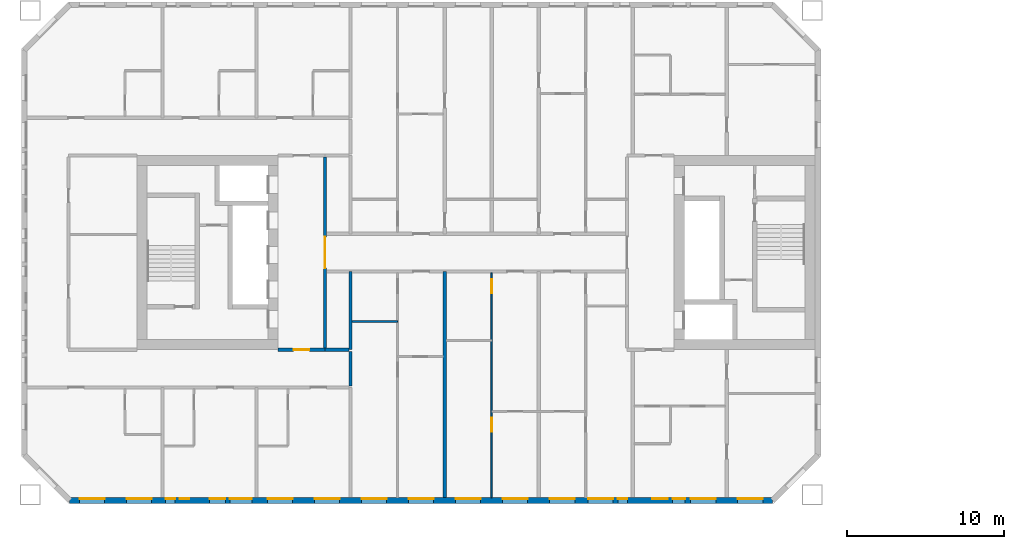
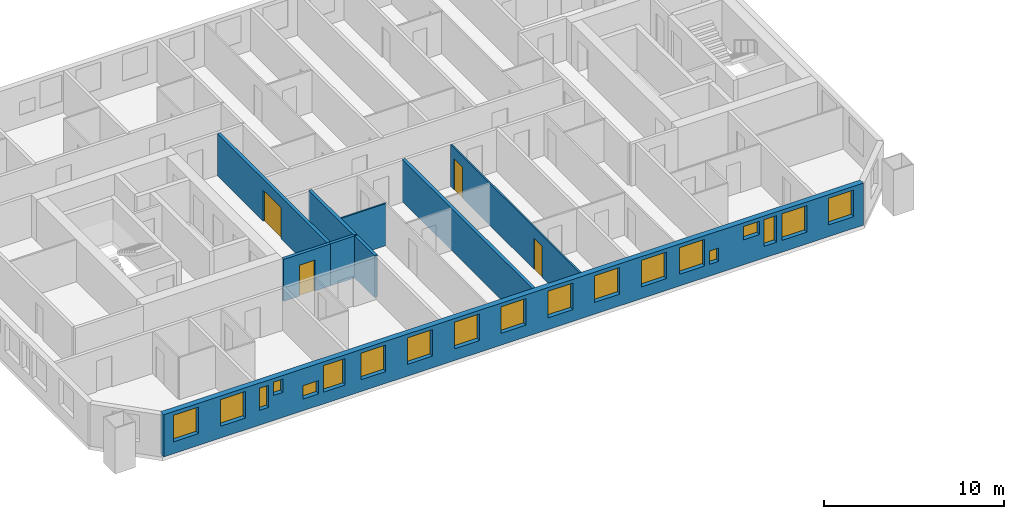
# One storey, part 4 of 17: 19 windows, 9 walls, 4 doors, 23 openings.
"""IFC4 building model written with IfcOpenShell, lengths in metres."""

from ifc_helpers import new_model, si_unit, direction, frame, frame_2d, origin, place, context, subcontext, project, spatial, rectangle, extrude, material, layer, layer_set, type_object, element, fill, save


model = new_model("IFC4")

# Units and contexts
model_context = context("Model", 3, precision=1e-05, world=origin(), true_north=direction((0.0, 1.0)))
body_context = subcontext(model_context, "Body", "Model", "MODEL_VIEW")
ifc_project = project(units=[si_unit("LENGTHUNIT", "METRE"), si_unit("AREAUNIT", "SQUARE_METRE"), si_unit("VOLUMEUNIT", "CUBIC_METRE"), si_unit("PLANEANGLEUNIT", "RADIAN"), si_unit("MASSUNIT", "GRAM", prefix="KILO")], contexts=[model_context])

# Site, building, storey
site_placement = place(None, origin())
site = spatial("IfcSite", under=ifc_project, at=site_placement, CompositionType="ELEMENT")
building_placement = place(site_placement, origin())
building = spatial("IfcBuilding", under=site, at=building_placement, Name="Tuart Gate Housing", CompositionType="ELEMENT")
storey_placement = place(building_placement, frame((0.0, 0.0, 102.60009765625)))
storey = spatial("IfcBuildingStorey", under=building, at=storey_placement, Name="L28", CompositionType="ELEMENT", Elevation=102.60009765625)

# Wall, openings, windows
ifc_material_1 = material(Name="Brick", Category="masonry")
ifc_layer_1 = layer(ifc_material_1, 0.360107421875)
ifc_layer_set_1 = layer_set([ifc_layer_1], Name="Brick pier and spandrel wall 360")
wall_type_1 = type_object("IfcWallType", Name="Brick pier and spandrel wall 360", PredefinedType="STANDARD", material=ifc_layer_set_1)
wall_1_placement = place(storey_placement, frame((28.07470703125, 54.179931640625, 0.0), z_axis=(0.0, 0.0, 1.0), x_axis=(1.0, 0.0, 0.0)))
wall_1 = element("IfcWall", 1, at=wall_1_placement, inside=storey, type_object=wall_type_1, Name="External wall A-S L28", PredefinedType="STANDARD", context=body_context, shape_type="SweptSolid", body=[
    extrude(rectangle(XDim=44.850830078125, YDim=0.360107421875, at=frame_2d((22.42529296875, 0.0))), origin(), (0.0, 0.0, 1.0), 2.849853515625),
])
opening_1_placement = place(wall_1_placement, frame((0.62548828125, 0.0, 0.800048828125)))
opening_1 = element("IfcOpeningElement", 2, at=opening_1_placement, cuts=wall_1, Name="Opening W1", PredefinedType="OPENING", context=body_context, shape_type="SweptSolid", body=[
    extrude(rectangle(XDim=1.60009765625, YDim=1.800048828125, at=frame_2d((0.800048828125, 0.89990234375))), frame((0.0, 0.18994140625, 0.0), z_axis=(0.0, -1.0, 0.0), x_axis=(1.0, 0.0, 0.0)), (0.0, 0.0, 1.0), 0.380126953125),
])
opening_2_placement = place(wall_1_placement, frame((3.62548828125, 0.0, 0.800048828125)))
opening_2 = element("IfcOpeningElement", 3, at=opening_2_placement, cuts=wall_1, Name="Opening W1", PredefinedType="OPENING", context=body_context, shape_type="SweptSolid", body=[
    extrude(rectangle(XDim=1.60009765625, YDim=1.800048828125, at=frame_2d((0.800048828125, 0.89990234375))), frame((0.0, 0.18994140625, 0.0), z_axis=(0.0, -1.0, 0.0), x_axis=(1.0, 0.0, 0.0)), (0.0, 0.0, 1.0), 0.380126953125),
])
opening_3_placement = place(wall_1_placement, frame((6.12548828125, 0.0, 1.0)))
opening_3 = element("IfcOpeningElement", 4, at=opening_3_placement, cuts=wall_1, Name="Opening W1K", PredefinedType="OPENING", context=body_context, shape_type="SweptSolid", body=[
    extrude(rectangle(XDim=0.60009765625, YDim=1.5, at=frame_2d((0.300048828125, 0.75))), frame((0.0, 0.18994140625, 0.0), z_axis=(0.0, -1.0, 0.0), x_axis=(1.0, 0.0, 0.0)), (0.0, 0.0, 1.0), 0.380126953125),
])
opening_4_placement = place(wall_1_placement, frame((7.025390625, 0.0, 1.699951171875)))
opening_4 = element("IfcOpeningElement", 5, at=opening_4_placement, cuts=wall_1, Name="Opening W1W", PredefinedType="OPENING", context=body_context, shape_type="SweptSolid", body=[
    extrude(rectangle(XDim=0.60009765625, YDim=0.89990234375, at=frame_2d((0.300048828125, 0.449951171875))), frame((0.0, 0.18994140625, 0.0), z_axis=(0.0, -1.0, 0.0), x_axis=(1.0, 0.0, 0.0)), (0.0, 0.0, 1.0), 0.380126953125),
])
opening_5_placement = place(wall_1_placement, frame((12.62548828125, 0.0, 0.800048828125)))
opening_5 = element("IfcOpeningElement", 6, at=opening_5_placement, cuts=wall_1, Name="Opening W1", PredefinedType="OPENING", context=body_context, shape_type="SweptSolid", body=[
    extrude(rectangle(XDim=1.60009765625, YDim=1.800048828125, at=frame_2d((0.800048828125, 0.89990234375))), frame((0.0, 0.18994140625, 0.0), z_axis=(0.0, -1.0, 0.0), x_axis=(1.0, 0.0, 0.0)), (0.0, 0.0, 1.0), 0.380126953125),
])
opening_6_placement = place(wall_1_placement, frame((15.62548828125, 0.0, 0.800048828125)))
opening_6 = element("IfcOpeningElement", 7, at=opening_6_placement, cuts=wall_1, Name="Opening W1", PredefinedType="OPENING", context=body_context, shape_type="SweptSolid", body=[
    extrude(rectangle(XDim=1.60009765625, YDim=1.800048828125, at=frame_2d((0.800048828125, 0.89990234375))), frame((0.0, 0.18994140625, 0.0), z_axis=(0.0, -1.0, 0.0), x_axis=(1.0, 0.0, 0.0)), (0.0, 0.0, 1.0), 0.380126953125),
])
opening_7_placement = place(wall_1_placement, frame((18.62548828125, 0.0, 0.800048828125)))
opening_7 = element("IfcOpeningElement", 8, at=opening_7_placement, cuts=wall_1, Name="Opening W1", PredefinedType="OPENING", context=body_context, shape_type="SweptSolid", body=[
    extrude(rectangle(XDim=1.60009765625, YDim=1.800048828125, at=frame_2d((0.800048828125, 0.89990234375))), frame((0.0, 0.18994140625, 0.0), z_axis=(0.0, -1.0, 0.0), x_axis=(1.0, 0.0, 0.0)), (0.0, 0.0, 1.0), 0.380126953125),
])
opening_8_placement = place(wall_1_placement, frame((21.62548828125, 0.0, 0.800048828125)))
opening_8 = element("IfcOpeningElement", 9, at=opening_8_placement, cuts=wall_1, Name="Opening W1", PredefinedType="OPENING", context=body_context, shape_type="SweptSolid", body=[
    extrude(rectangle(XDim=1.60009765625, YDim=1.800048828125, at=frame_2d((0.800048828125, 0.89990234375))), frame((0.0, 0.18994140625, 0.0), z_axis=(0.0, -1.0, 0.0), x_axis=(1.0, 0.0, 0.0)), (0.0, 0.0, 1.0), 0.380126953125),
])
opening_9_placement = place(wall_1_placement, frame((24.62548828125, 0.0, 0.800048828125)))
opening_9 = element("IfcOpeningElement", 10, at=opening_9_placement, cuts=wall_1, Name="Opening W1", PredefinedType="OPENING", context=body_context, shape_type="SweptSolid", body=[
    extrude(rectangle(XDim=1.60009765625, YDim=1.800048828125, at=frame_2d((0.800048828125, 0.89990234375))), frame((0.0, 0.18994140625, 0.0), z_axis=(0.0, -1.0, 0.0), x_axis=(1.0, 0.0, 0.0)), (0.0, 0.0, 1.0), 0.380126953125),
])
opening_10_placement = place(wall_1_placement, frame((27.62548828125, 0.0, 0.800048828125)))
opening_10 = element("IfcOpeningElement", 11, at=opening_10_placement, cuts=wall_1, Name="Opening W1", PredefinedType="OPENING", context=body_context, shape_type="SweptSolid", body=[
    extrude(rectangle(XDim=1.60009765625, YDim=1.800048828125, at=frame_2d((0.800048828125, 0.89990234375))), frame((0.0, 0.18994140625, 0.0), z_axis=(0.0, -1.0, 0.0), x_axis=(1.0, 0.0, 0.0)), (0.0, 0.0, 1.0), 0.380126953125),
])
opening_11_placement = place(wall_1_placement, frame((30.62548828125, 0.0, 0.800048828125)))
opening_11 = element("IfcOpeningElement", 12, at=opening_11_placement, cuts=wall_1, Name="Opening W1", PredefinedType="OPENING", context=body_context, shape_type="SweptSolid", body=[
    extrude(rectangle(XDim=1.60009765625, YDim=1.800048828125, at=frame_2d((0.800048828125, 0.89990234375))), frame((0.0, 0.18994140625, 0.0), z_axis=(0.0, -1.0, 0.0), x_axis=(1.0, 0.0, 0.0)), (0.0, 0.0, 1.0), 0.380126953125),
])
opening_12_placement = place(wall_1_placement, frame((33.075439453125, 0.0, 0.800048828125)))
opening_12 = element("IfcOpeningElement", 13, at=opening_12_placement, cuts=wall_1, Name="Opening W1", PredefinedType="OPENING", context=body_context, shape_type="SweptSolid", body=[
    extrude(rectangle(XDim=1.60009765625, YDim=1.800048828125, at=frame_2d((0.800048828125, 0.89990234375))), frame((0.0, 0.18994140625, 0.0), z_axis=(0.0, -1.0, 0.0), x_axis=(1.0, 0.0, 0.0)), (0.0, 0.0, 1.0), 0.380126953125),
])
opening_13_placement = place(wall_1_placement, frame((37.17529296875, 0.0, 1.699951171875)))
opening_13 = element("IfcOpeningElement", 14, at=opening_13_placement, cuts=wall_1, Name="Opening W1U", PredefinedType="OPENING", context=body_context, shape_type="SweptSolid", body=[
    extrude(rectangle(XDim=1.0, YDim=0.89990234375, at=frame_2d((0.5, 0.449951171875))), frame((0.0, 0.18994140625, 0.0), z_axis=(0.0, -1.0, 0.0), x_axis=(1.0, 0.0, 0.0)), (0.0, 0.0, 1.0), 0.380126953125),
])
opening_14_placement = place(wall_1_placement, frame((39.62548828125, 0.0, 0.800048828125)))
opening_14 = element("IfcOpeningElement", 15, at=opening_14_placement, cuts=wall_1, Name="Opening W1", PredefinedType="OPENING", context=body_context, shape_type="SweptSolid", body=[
    extrude(rectangle(XDim=1.60009765625, YDim=1.800048828125, at=frame_2d((0.800048828125, 0.89990234375))), frame((0.0, 0.18994140625, 0.0), z_axis=(0.0, -1.0, 0.0), x_axis=(1.0, 0.0, 0.0)), (0.0, 0.0, 1.0), 0.380126953125),
])
opening_15_placement = place(wall_1_placement, frame((42.62548828125, 0.0, 0.800048828125)))
opening_15 = element("IfcOpeningElement", 16, at=opening_15_placement, cuts=wall_1, Name="Opening W1", PredefinedType="OPENING", context=body_context, shape_type="SweptSolid", body=[
    extrude(rectangle(XDim=1.60009765625, YDim=1.800048828125, at=frame_2d((0.800048828125, 0.89990234375))), frame((0.0, 0.18994140625, 0.0), z_axis=(0.0, -1.0, 0.0), x_axis=(1.0, 0.0, 0.0)), (0.0, 0.0, 1.0), 0.380126953125),
])
opening_16_placement = place(wall_1_placement, frame((8.92529296875, 0.0, 0.800048828125)))
opening_16 = element("IfcOpeningElement", 17, at=opening_16_placement, cuts=wall_1, Name="Opening W1U", PredefinedType="OPENING", context=body_context, shape_type="SweptSolid", body=[
    extrude(rectangle(XDim=1.0, YDim=0.89990234375, at=frame_2d((0.5, 0.449951171875))), frame((0.0, 0.18994140625, 0.0), z_axis=(0.0, -1.0, 0.0), x_axis=(1.0, 0.0, 0.0)), (0.0, 0.0, 1.0), 0.380126953125),
])
opening_17_placement = place(wall_1_placement, frame((10.225341796875, 0.0, 0.800048828125)))
opening_17 = element("IfcOpeningElement", 18, at=opening_17_placement, cuts=wall_1, Name="Opening W1A", PredefinedType="OPENING", context=body_context, shape_type="SweptSolid", body=[
    extrude(rectangle(XDim=1.39990234375, YDim=1.800048828125, at=frame_2d((0.699951171875, 0.89990234375))), frame((0.0, 0.18994140625, 0.0), z_axis=(0.0, -1.0, 0.0), x_axis=(1.0, 0.0, 0.0)), (0.0, 0.0, 1.0), 0.380126953125),
])
opening_18_placement = place(wall_1_placement, frame((34.975341796875, 0.0, 0.800048828125)))
opening_18 = element("IfcOpeningElement", 19, at=opening_18_placement, cuts=wall_1, Name="Opening W1W", PredefinedType="OPENING", context=body_context, shape_type="SweptSolid", body=[
    extrude(rectangle(XDim=0.60009765625, YDim=0.89990234375, at=frame_2d((0.300048828125, 0.449951171875))), frame((0.0, 0.18994140625, 0.0), z_axis=(0.0, -1.0, 0.0), x_axis=(1.0, 0.0, 0.0)), (0.0, 0.0, 1.0), 0.380126953125),
])
opening_19_placement = place(wall_1_placement, frame((38.475341796875, 0.0, 0.800048828125)))
opening_19 = element("IfcOpeningElement", 20, at=opening_19_placement, cuts=wall_1, Name="Opening W1D", PredefinedType="OPENING", context=body_context, shape_type="SweptSolid", body=[
    extrude(rectangle(XDim=0.800048828125, YDim=1.800048828125, at=frame_2d((0.39990234375, 0.89990234375))), frame((0.0, 0.18994140625, 0.0), z_axis=(0.0, -1.0, 0.0), x_axis=(1.0, 0.0, 0.0)), (0.0, 0.0, 1.0), 0.380126953125),
])
ifc_material_2 = material(Name="Aluminium frame with clear glass", Category="aluminium")
window_type_1 = type_object("IfcWindowType", Name="Punched window 1000 x 900", PartitioningType="SINGLE_PANEL", PredefinedType="WINDOW", material=ifc_material_2)
window_1_placement = place(opening_13_placement, origin())
window_1 = element("IfcWindow", 21, at=window_1_placement, inside=storey, type_object=window_type_1, Name="Window W1U", OverallHeight=0.89990234375, OverallWidth=1.0, PartitioningType="SINGLE_PANEL", PredefinedType="WINDOW", context=body_context, shape_type="SweptSolid", body=[
    extrude(rectangle(XDim=1.0, YDim=0.89990234375, at=frame_2d((0.5, 0.449951171875))), frame((0.0, 0.150146484375, 0.0), z_axis=(0.0, -1.0, 0.0), x_axis=(1.0, 0.0, 0.0)), (0.0, 0.0, 1.0), 0.06005859375),
])
fill(opening_13, window_1)
window_2_placement = place(opening_16_placement, origin())
window_2 = element("IfcWindow", 22, at=window_2_placement, inside=storey, type_object=window_type_1, Name="Window W1U", OverallHeight=0.89990234375, OverallWidth=1.0, PartitioningType="SINGLE_PANEL", PredefinedType="WINDOW", context=body_context, shape_type="SweptSolid", body=[
    extrude(rectangle(XDim=1.0, YDim=0.89990234375, at=frame_2d((0.5, 0.449951171875))), frame((0.0, 0.150146484375, 0.0), z_axis=(0.0, -1.0, 0.0), x_axis=(1.0, 0.0, 0.0)), (0.0, 0.0, 1.0), 0.06005859375),
])
fill(opening_16, window_2)
ifc_material_3 = material(Name="Aluminium frame with clear glass", Category="aluminium")
window_type_2 = type_object("IfcWindowType", Name="Punched window 1400 x 1800", PartitioningType="SINGLE_PANEL", PredefinedType="WINDOW", material=ifc_material_3)
window_3_placement = place(opening_17_placement, origin())
window_3 = element("IfcWindow", 23, at=window_3_placement, inside=storey, type_object=window_type_2, Name="Window W1A", OverallHeight=1.800048828125, OverallWidth=1.39990234375, PartitioningType="SINGLE_PANEL", PredefinedType="WINDOW", context=body_context, shape_type="SweptSolid", body=[
    extrude(rectangle(XDim=1.39990234375, YDim=1.800048828125, at=frame_2d((0.699951171875, 0.89990234375))), frame((0.0, 0.150146484375, 0.0), z_axis=(0.0, -1.0, 0.0), x_axis=(1.0, 0.0, 0.0)), (0.0, 0.0, 1.0), 0.06005859375),
])
fill(opening_17, window_3)
ifc_material_4 = material(Name="Aluminium frame with clear glass", Category="aluminium")
window_type_3 = type_object("IfcWindowType", Name="Punched window 1600 x 1800", PartitioningType="SINGLE_PANEL", PredefinedType="WINDOW", material=ifc_material_4)
window_4_placement = place(opening_1_placement, origin())
window_4 = element("IfcWindow", 24, at=window_4_placement, inside=storey, type_object=window_type_3, Name="Window W1", OverallHeight=1.800048828125, OverallWidth=1.60009765625, PartitioningType="SINGLE_PANEL", PredefinedType="WINDOW", context=body_context, shape_type="SweptSolid", body=[
    extrude(rectangle(XDim=1.60009765625, YDim=1.800048828125, at=frame_2d((0.800048828125, 0.89990234375))), frame((0.0, 0.150146484375, 0.0), z_axis=(0.0, -1.0, 0.0), x_axis=(1.0, 0.0, 0.0)), (0.0, 0.0, 1.0), 0.06005859375),
])
fill(opening_1, window_4)
window_5_placement = place(opening_2_placement, origin())
window_5 = element("IfcWindow", 25, at=window_5_placement, inside=storey, type_object=window_type_3, Name="Window W1", OverallHeight=1.800048828125, OverallWidth=1.60009765625, PartitioningType="SINGLE_PANEL", PredefinedType="WINDOW", context=body_context, shape_type="SweptSolid", body=[
    extrude(rectangle(XDim=1.60009765625, YDim=1.800048828125, at=frame_2d((0.800048828125, 0.89990234375))), frame((0.0, 0.150146484375, 0.0), z_axis=(0.0, -1.0, 0.0), x_axis=(1.0, 0.0, 0.0)), (0.0, 0.0, 1.0), 0.06005859375),
])
fill(opening_2, window_5)
window_6_placement = place(opening_5_placement, origin())
window_6 = element("IfcWindow", 26, at=window_6_placement, inside=storey, type_object=window_type_3, Name="Window W1", OverallHeight=1.800048828125, OverallWidth=1.60009765625, PartitioningType="SINGLE_PANEL", PredefinedType="WINDOW", context=body_context, shape_type="SweptSolid", body=[
    extrude(rectangle(XDim=1.60009765625, YDim=1.800048828125, at=frame_2d((0.800048828125, 0.89990234375))), frame((0.0, 0.150146484375, 0.0), z_axis=(0.0, -1.0, 0.0), x_axis=(1.0, 0.0, 0.0)), (0.0, 0.0, 1.0), 0.06005859375),
])
fill(opening_5, window_6)
window_7_placement = place(opening_6_placement, origin())
window_7 = element("IfcWindow", 27, at=window_7_placement, inside=storey, type_object=window_type_3, Name="Window W1", OverallHeight=1.800048828125, OverallWidth=1.60009765625, PartitioningType="SINGLE_PANEL", PredefinedType="WINDOW", context=body_context, shape_type="SweptSolid", body=[
    extrude(rectangle(XDim=1.60009765625, YDim=1.800048828125, at=frame_2d((0.800048828125, 0.89990234375))), frame((0.0, 0.150146484375, 0.0), z_axis=(0.0, -1.0, 0.0), x_axis=(1.0, 0.0, 0.0)), (0.0, 0.0, 1.0), 0.06005859375),
])
fill(opening_6, window_7)
window_8_placement = place(opening_7_placement, origin())
window_8 = element("IfcWindow", 28, at=window_8_placement, inside=storey, type_object=window_type_3, Name="Window W1", OverallHeight=1.800048828125, OverallWidth=1.60009765625, PartitioningType="SINGLE_PANEL", PredefinedType="WINDOW", context=body_context, shape_type="SweptSolid", body=[
    extrude(rectangle(XDim=1.60009765625, YDim=1.800048828125, at=frame_2d((0.800048828125, 0.89990234375))), frame((0.0, 0.150146484375, 0.0), z_axis=(0.0, -1.0, 0.0), x_axis=(1.0, 0.0, 0.0)), (0.0, 0.0, 1.0), 0.06005859375),
])
fill(opening_7, window_8)
window_9_placement = place(opening_8_placement, origin())
window_9 = element("IfcWindow", 29, at=window_9_placement, inside=storey, type_object=window_type_3, Name="Window W1", OverallHeight=1.800048828125, OverallWidth=1.60009765625, PartitioningType="SINGLE_PANEL", PredefinedType="WINDOW", context=body_context, shape_type="SweptSolid", body=[
    extrude(rectangle(XDim=1.60009765625, YDim=1.800048828125, at=frame_2d((0.800048828125, 0.89990234375))), frame((0.0, 0.150146484375, 0.0), z_axis=(0.0, -1.0, 0.0), x_axis=(1.0, 0.0, 0.0)), (0.0, 0.0, 1.0), 0.06005859375),
])
fill(opening_8, window_9)
window_10_placement = place(opening_9_placement, origin())
window_10 = element("IfcWindow", 30, at=window_10_placement, inside=storey, type_object=window_type_3, Name="Window W1", OverallHeight=1.800048828125, OverallWidth=1.60009765625, PartitioningType="SINGLE_PANEL", PredefinedType="WINDOW", context=body_context, shape_type="SweptSolid", body=[
    extrude(rectangle(XDim=1.60009765625, YDim=1.800048828125, at=frame_2d((0.800048828125, 0.89990234375))), frame((0.0, 0.150146484375, 0.0), z_axis=(0.0, -1.0, 0.0), x_axis=(1.0, 0.0, 0.0)), (0.0, 0.0, 1.0), 0.06005859375),
])
fill(opening_9, window_10)
window_11_placement = place(opening_10_placement, origin())
window_11 = element("IfcWindow", 31, at=window_11_placement, inside=storey, type_object=window_type_3, Name="Window W1", OverallHeight=1.800048828125, OverallWidth=1.60009765625, PartitioningType="SINGLE_PANEL", PredefinedType="WINDOW", context=body_context, shape_type="SweptSolid", body=[
    extrude(rectangle(XDim=1.60009765625, YDim=1.800048828125, at=frame_2d((0.800048828125, 0.89990234375))), frame((0.0, 0.150146484375, 0.0), z_axis=(0.0, -1.0, 0.0), x_axis=(1.0, 0.0, 0.0)), (0.0, 0.0, 1.0), 0.06005859375),
])
fill(opening_10, window_11)
window_12_placement = place(opening_11_placement, origin())
window_12 = element("IfcWindow", 32, at=window_12_placement, inside=storey, type_object=window_type_3, Name="Window W1", OverallHeight=1.800048828125, OverallWidth=1.60009765625, PartitioningType="SINGLE_PANEL", PredefinedType="WINDOW", context=body_context, shape_type="SweptSolid", body=[
    extrude(rectangle(XDim=1.60009765625, YDim=1.800048828125, at=frame_2d((0.800048828125, 0.89990234375))), frame((0.0, 0.150146484375, 0.0), z_axis=(0.0, -1.0, 0.0), x_axis=(1.0, 0.0, 0.0)), (0.0, 0.0, 1.0), 0.06005859375),
])
fill(opening_11, window_12)
window_13_placement = place(opening_12_placement, origin())
window_13 = element("IfcWindow", 33, at=window_13_placement, inside=storey, type_object=window_type_3, Name="Window W1", OverallHeight=1.800048828125, OverallWidth=1.60009765625, PartitioningType="SINGLE_PANEL", PredefinedType="WINDOW", context=body_context, shape_type="SweptSolid", body=[
    extrude(rectangle(XDim=1.60009765625, YDim=1.800048828125, at=frame_2d((0.800048828125, 0.89990234375))), frame((0.0, 0.150146484375, 0.0), z_axis=(0.0, -1.0, 0.0), x_axis=(1.0, 0.0, 0.0)), (0.0, 0.0, 1.0), 0.06005859375),
])
fill(opening_12, window_13)
window_14_placement = place(opening_14_placement, origin())
window_14 = element("IfcWindow", 34, at=window_14_placement, inside=storey, type_object=window_type_3, Name="Window W1", OverallHeight=1.800048828125, OverallWidth=1.60009765625, PartitioningType="SINGLE_PANEL", PredefinedType="WINDOW", context=body_context, shape_type="SweptSolid", body=[
    extrude(rectangle(XDim=1.60009765625, YDim=1.800048828125, at=frame_2d((0.800048828125, 0.89990234375))), frame((0.0, 0.150146484375, 0.0), z_axis=(0.0, -1.0, 0.0), x_axis=(1.0, 0.0, 0.0)), (0.0, 0.0, 1.0), 0.06005859375),
])
fill(opening_14, window_14)
window_15_placement = place(opening_15_placement, origin())
window_15 = element("IfcWindow", 35, at=window_15_placement, inside=storey, type_object=window_type_3, Name="Window W1", OverallHeight=1.800048828125, OverallWidth=1.60009765625, PartitioningType="SINGLE_PANEL", PredefinedType="WINDOW", context=body_context, shape_type="SweptSolid", body=[
    extrude(rectangle(XDim=1.60009765625, YDim=1.800048828125, at=frame_2d((0.800048828125, 0.89990234375))), frame((0.0, 0.150146484375, 0.0), z_axis=(0.0, -1.0, 0.0), x_axis=(1.0, 0.0, 0.0)), (0.0, 0.0, 1.0), 0.06005859375),
])
fill(opening_15, window_15)
ifc_material_5 = material(Name="Aluminium frame with clear glass", Category="aluminium")
window_type_4 = type_object("IfcWindowType", Name="Punched window 600 x 1500", PartitioningType="SINGLE_PANEL", PredefinedType="WINDOW", material=ifc_material_5)
window_16_placement = place(opening_3_placement, origin())
window_16 = element("IfcWindow", 36, at=window_16_placement, inside=storey, type_object=window_type_4, Name="Window W1K", OverallHeight=1.5, OverallWidth=0.60009765625, PartitioningType="SINGLE_PANEL", PredefinedType="WINDOW", context=body_context, shape_type="SweptSolid", body=[
    extrude(rectangle(XDim=0.60009765625, YDim=1.5, at=frame_2d((0.300048828125, 0.75))), frame((0.0, 0.150146484375, 0.0), z_axis=(0.0, -1.0, 0.0), x_axis=(1.0, 0.0, 0.0)), (0.0, 0.0, 1.0), 0.06005859375),
])
fill(opening_3, window_16)
ifc_material_6 = material(Name="Aluminium frame with clear glass", Category="aluminium")
window_type_5 = type_object("IfcWindowType", Name="Punched window 600 x 900", PartitioningType="SINGLE_PANEL", PredefinedType="WINDOW", material=ifc_material_6)
window_17_placement = place(opening_4_placement, origin())
window_17 = element("IfcWindow", 37, at=window_17_placement, inside=storey, type_object=window_type_5, Name="Window W1W", OverallHeight=0.89990234375, OverallWidth=0.60009765625, PartitioningType="SINGLE_PANEL", PredefinedType="WINDOW", context=body_context, shape_type="SweptSolid", body=[
    extrude(rectangle(XDim=0.60009765625, YDim=0.89990234375, at=frame_2d((0.300048828125, 0.449951171875))), frame((0.0, 0.150146484375, 0.0), z_axis=(0.0, -1.0, 0.0), x_axis=(1.0, 0.0, 0.0)), (0.0, 0.0, 1.0), 0.06005859375),
])
fill(opening_4, window_17)
window_18_placement = place(opening_18_placement, origin())
window_18 = element("IfcWindow", 38, at=window_18_placement, inside=storey, type_object=window_type_5, Name="Window W1W", OverallHeight=0.89990234375, OverallWidth=0.60009765625, PartitioningType="SINGLE_PANEL", PredefinedType="WINDOW", context=body_context, shape_type="SweptSolid", body=[
    extrude(rectangle(XDim=0.60009765625, YDim=0.89990234375, at=frame_2d((0.300048828125, 0.449951171875))), frame((0.0, 0.150146484375, 0.0), z_axis=(0.0, -1.0, 0.0), x_axis=(1.0, 0.0, 0.0)), (0.0, 0.0, 1.0), 0.06005859375),
])
fill(opening_18, window_18)
ifc_material_7 = material(Name="Aluminium frame with clear glass", Category="aluminium")
window_type_6 = type_object("IfcWindowType", Name="Punched window 800 x 1800", PartitioningType="SINGLE_PANEL", PredefinedType="WINDOW", material=ifc_material_7)
window_19_placement = place(opening_19_placement, origin())
window_19 = element("IfcWindow", 39, at=window_19_placement, inside=storey, type_object=window_type_6, Name="Window W1D", OverallHeight=1.800048828125, OverallWidth=0.800048828125, PartitioningType="SINGLE_PANEL", PredefinedType="WINDOW", context=body_context, shape_type="SweptSolid", body=[
    extrude(rectangle(XDim=0.800048828125, YDim=1.800048828125, at=frame_2d((0.39990234375, 0.89990234375))), frame((0.0, 0.150146484375, 0.0), z_axis=(0.0, -1.0, 0.0), x_axis=(1.0, 0.0, 0.0)), (0.0, 0.0, 1.0), 0.06005859375),
])
fill(opening_19, window_19)

# Walls
ifc_material_8 = material(Name="Concrete masonry 15 MPa", Category="masonry")
ifc_layer_2 = layer(ifc_material_8, 0.199951171875)
ifc_layer_set_2 = layer_set([ifc_layer_2], Name="Corridor wall masonry 200")
wall_type_2 = type_object("IfcWallType", Name="Corridor wall masonry 200", PredefinedType="PARTITIONING", material=ifc_layer_set_2)
wall_2_placement = place(storey_placement, frame((44.360107421875, 63.800048828125, 0.0), z_axis=(0.0, 0.0, 1.0), x_axis=(1.0, 0.0, 0.0)))
element("IfcWall", 40, at=wall_2_placement, inside=storey, type_object=wall_type_2, Name="Corridor wall masonry 200", PredefinedType="PARTITIONING", context=body_context, shape_type="SweptSolid", body=[
    extrude(rectangle(XDim=1.539794921875, YDim=0.199951171875, at=frame_2d((0.77001953125, 0.0))), origin(), (0.0, 0.0, 1.0), 2.849853515625),
])
wall_3_placement = place(storey_placement, frame((46.0, 61.5, 0.0), z_axis=(0.0, 0.0, 1.0), x_axis=(0.0, 1.0, 0.0)))
element("IfcWall", 41, at=wall_3_placement, inside=storey, type_object=wall_type_2, Name="Corridor wall masonry 200", PredefinedType="PARTITIONING", context=body_context, shape_type="SweptSolid", body=[
    extrude(rectangle(XDim=2.199951171875, YDim=0.199951171875, at=frame_2d((1.10009765625, 0.0))), origin(), (0.0, 0.0, 1.0), 2.849853515625),
])

# Wall, opening, door
ifc_material_9 = material(Name="Concrete masonry 15 MPa", Category="masonry")
ifc_layer_3 = layer(ifc_material_9, 0.199951171875)
ifc_layer_set_3 = layer_set([ifc_layer_3], Name="Enclosure wall masonry 200")
wall_type_3 = type_object("IfcWallType", Name="Enclosure wall masonry 200", PredefinedType="PARTITIONING", material=ifc_layer_set_3)
wall_4_placement = place(storey_placement, frame((41.360107421875, 63.800048828125, 0.0), z_axis=(0.0, 0.0, 1.0), x_axis=(1.0, 0.0, 0.0)))
wall_4 = element("IfcWall", 42, at=wall_4_placement, inside=storey, type_object=wall_type_3, Name="Enclosure wall masonry 200", PredefinedType="PARTITIONING", context=body_context, shape_type="SweptSolid", body=[
    extrude(rectangle(XDim=3.0, YDim=0.199951171875, at=frame_2d((1.5, 0.0))), origin(), (0.0, 0.0, 1.0), 2.849853515625),
])
opening_20_placement = place(wall_4_placement, frame((1.0, 0.0, 0.0)))
opening_20 = element("IfcOpeningElement", 43, at=opening_20_placement, cuts=wall_4, Name="Opening D1104", PredefinedType="OPENING", context=body_context, shape_type="SweptSolid", body=[
    extrude(rectangle(XDim=1.0, YDim=2.10009765625, at=frame_2d((0.5, 1.050048828125))), frame((0.0, 0.10986328125, 0.0), z_axis=(0.0, -1.0, 0.0), x_axis=(1.0, 0.0, 0.0)), (0.0, 0.0, 1.0), 0.219970703125),
])
ifc_material_10 = material(Name="Timber door leaf in steel frame", Category="steel")
door_type_1 = type_object("IfcDoorType", Name="Fire door 1000", OperationType="SINGLE_SWING_LEFT", PredefinedType="DOOR", material=ifc_material_10)
door_1_placement = place(opening_20_placement, frame((1.0, 0.0, 0.0), z_axis=(0.0, 0.0, 1.0), x_axis=(-1.0, 0.0, 0.0)))
door_1 = element("IfcDoor", 44, at=door_1_placement, inside=storey, type_object=door_type_1, Name="Fire door", OperationType="SINGLE_SWING_LEFT", OverallHeight=2.10009765625, OverallWidth=1.0, PredefinedType="DOOR", context=body_context, shape_type="SweptSolid", body=[
    extrude(rectangle(XDim=1.0, YDim=2.10009765625, at=frame_2d((0.5, 1.050048828125))), frame((0.0, 0.025146484375, 0.0), z_axis=(0.0, -1.0, 0.0), x_axis=(1.0, 0.0, 0.0)), (0.0, 0.0, 1.0), 0.050048828125),
])
fill(opening_20, door_1)

ifc_material_11 = material(Name="Plasterboard partition")
ifc_layer_4 = layer(ifc_material_11, 0.199951171875)
ifc_layer_set_4 = layer_set([ifc_layer_4], Name="Lobby wall 200")
wall_type_4 = type_object("IfcWallType", Name="Lobby wall 200", PredefinedType="PARTITIONING", material=ifc_layer_set_4)
wall_5_placement = place(storey_placement, frame((44.360107421875, 63.89990234375, 0.0), z_axis=(0.0, 0.0, 1.0), x_axis=(0.0, 1.0, 0.0)))
wall_5 = element("IfcWall", 45, at=wall_5_placement, inside=storey, type_object=wall_type_4, Name="Lift lobby wall AK", PredefinedType="PARTITIONING", context=body_context, shape_type="SweptSolid", body=[
    extrude(rectangle(XDim=12.2001953125, YDim=0.199951171875, at=frame_2d((6.10009765625, 0.0))), origin(), (0.0, 0.0, 1.0), 2.849853515625),
])
opening_21_placement = place(wall_5_placement, frame((5.10009765625, 0.0, 0.0)))
opening_21 = element("IfcOpeningElement", 46, at=opening_21_placement, cuts=wall_5, Name="Opening D1095", PredefinedType="OPENING", context=body_context, shape_type="SweptSolid", body=[
    extrude(rectangle(XDim=2.0, YDim=2.10009765625, at=frame_2d((1.0, 1.050048828125))), frame((0.0, 0.10986328125, 0.0), z_axis=(0.0, -1.0, 0.0), x_axis=(1.0, 0.0, 0.0)), (0.0, 0.0, 1.0), 0.219970703125),
])
ifc_material_12 = material(Name="Steel fire door", Category="steel")
door_type_2 = type_object("IfcDoorType", Name="Smoke door 2000 x 2100", OperationType="DOUBLE_DOOR_SINGLE_SWING", PredefinedType="DOOR", material=ifc_material_12)
door_2_placement = place(opening_21_placement, origin())
door_2 = element("IfcDoor", 47, at=door_2_placement, inside=storey, type_object=door_type_2, Name="Lift lobby smoke door AK", OperationType="DOUBLE_DOOR_SINGLE_SWING", OverallHeight=2.10009765625, OverallWidth=2.0, PredefinedType="DOOR", context=body_context, shape_type="SweptSolid", body=[
    extrude(rectangle(XDim=2.0, YDim=2.10009765625, at=frame_2d((1.0, 1.050048828125))), frame((0.0, 0.02490234375, 0.0), z_axis=(0.0, -1.0, 0.0), x_axis=(1.0, 0.0, 0.0)), (0.0, 0.0, 1.0), 0.050048828125),
])
fill(opening_21, door_2)

# Wall
ifc_material_13 = material(Name="Gypsum board on steel studs", Category="steel")
ifc_layer_5 = layer(ifc_material_13, 0.10009765625)
ifc_layer_set_5 = layer_set([ifc_layer_5], Name="Partition 100")
wall_type_5 = type_object("IfcWallType", Name="Partition 100", PredefinedType="PARTITIONING", material=ifc_layer_set_5)
wall_6_placement = place(storey_placement, frame((46.10009765625, 65.60009765625, 0.0), z_axis=(0.0, 0.0, 1.0), x_axis=(1.0, 0.0, 0.0)))
element("IfcWall", 48, at=wall_6_placement, inside=storey, type_object=wall_type_5, Name="Partition 100", PredefinedType="PARTITIONING", context=body_context, shape_type="SweptSolid", body=[
    extrude(rectangle(XDim=2.89990234375, YDim=0.10009765625, at=frame_2d((1.449951171875, 0.0))), origin(), (0.0, 0.0, 1.0), 2.849853515625),
])

# Wall, openings, doors
wall_7_placement = place(storey_placement, frame((55.0, 54.360107421875, 0.0), z_axis=(0.0, 0.0, 1.0), x_axis=(0.0, 1.0, 0.0)))
wall_7 = element("IfcWall", 49, at=wall_7_placement, inside=storey, type_object=wall_type_5, Name="Partition 100", PredefinedType="PARTITIONING", context=body_context, shape_type="SweptSolid", body=[
    extrude(rectangle(XDim=14.33984375, YDim=0.10009765625, at=frame_2d((7.169921875, 0.0))), origin(), (0.0, 0.0, 1.0), 2.849853515625),
])
opening_22_placement = place(wall_7_placement, frame((4.199951171875, 0.0, 0.0)))
opening_22 = element("IfcOpeningElement", 50, at=opening_22_placement, cuts=wall_7, Name="Opening D1110", PredefinedType="OPENING", context=body_context, shape_type="SweptSolid", body=[
    extrude(rectangle(XDim=0.89990234375, YDim=2.10009765625, at=frame_2d((0.449951171875, 1.050048828125))), frame((0.0, 0.06005859375, 0.0), z_axis=(0.0, -1.0, 0.0), x_axis=(1.0, 0.0, 0.0)), (0.0, 0.0, 1.0), 0.1201171875),
])
opening_23_placement = place(wall_7_placement, frame((13.0400390625, 0.0, 0.0)))
opening_23 = element("IfcOpeningElement", 51, at=opening_23_placement, cuts=wall_7, Name="Opening D1109", PredefinedType="OPENING", context=body_context, shape_type="SweptSolid", body=[
    extrude(rectangle(XDim=0.89990234375, YDim=2.10009765625, at=frame_2d((0.449951171875, 1.050048828125))), frame((0.0, 0.06005859375, 0.0), z_axis=(0.0, -1.0, 0.0), x_axis=(1.0, 0.0, 0.0)), (0.0, 0.0, 1.0), 0.1201171875),
])
ifc_material_14 = material(Name="Timber door leaf in steel frame", Category="steel")
door_type_3 = type_object("IfcDoorType", Name="Bathroom door 900 RH", OperationType="SINGLE_SWING_RIGHT", PredefinedType="DOOR", material=ifc_material_14)
door_3_placement = place(opening_23_placement, origin())
door_3 = element("IfcDoor", 52, at=door_3_placement, inside=storey, type_object=door_type_3, Name="Bathroom door", OperationType="SINGLE_SWING_RIGHT", OverallHeight=2.10009765625, OverallWidth=0.89990234375, PredefinedType="DOOR", context=body_context, shape_type="SweptSolid", body=[
    extrude(rectangle(XDim=0.89990234375, YDim=2.10009765625, at=frame_2d((0.449951171875, 1.050048828125))), frame((0.0, 0.02490234375, 0.0), z_axis=(0.0, -1.0, 0.0), x_axis=(1.0, 0.0, 0.0)), (0.0, 0.0, 1.0), 0.050048828125),
])
fill(opening_23, door_3)
ifc_material_15 = material(Name="Timber door leaf in steel frame", Category="steel")
door_type_4 = type_object("IfcDoorType", Name="Internal door 900", OperationType="SINGLE_SWING_LEFT", PredefinedType="DOOR", material=ifc_material_15)
door_4_placement = place(opening_22_placement, origin())
door_4 = element("IfcDoor", 53, at=door_4_placement, inside=storey, type_object=door_type_4, Name="Internal door", OperationType="SINGLE_SWING_LEFT", OverallHeight=2.10009765625, OverallWidth=0.89990234375, PredefinedType="DOOR", context=body_context, shape_type="SweptSolid", body=[
    extrude(rectangle(XDim=0.89990234375, YDim=2.10009765625, at=frame_2d((0.449951171875, 1.050048828125))), frame((0.0, 0.02490234375, 0.0), z_axis=(0.0, -1.0, 0.0), x_axis=(1.0, 0.0, 0.0)), (0.0, 0.0, 1.0), 0.050048828125),
])
fill(opening_22, door_4)

# Walls
ifc_material_16 = material(Name="Concrete C40", Category="concrete")
ifc_layer_6 = layer(ifc_material_16, 0.199951171875)
ifc_layer_set_6 = layer_set([ifc_layer_6], Name="Party wall concrete C40 200")
wall_type_6 = type_object("IfcWallType", Name="Party wall concrete C40 200", PredefinedType="SOLIDWALL", material=ifc_layer_set_6)
wall_8_placement = place(storey_placement, frame((46.0, 63.800048828125, 0.0), z_axis=(0.0, 0.0, 1.0), x_axis=(0.0, 1.0, 0.0)))
element("IfcWall", 54, at=wall_8_placement, inside=storey, type_object=wall_type_6, Name="Party wall concrete C40 200", PredefinedType="SOLIDWALL", context=body_context, shape_type="SweptSolid", body=[
    extrude(rectangle(XDim=5.0, YDim=0.199951171875, at=frame_2d((2.5, 0.0))), origin(), (0.0, 0.0, 1.0), 2.849853515625),
])
wall_9_placement = place(storey_placement, frame((52.0, 54.360107421875, 0.0), z_axis=(0.0, 0.0, 1.0), x_axis=(0.0, 1.0, 0.0)))
element("IfcWall", 55, at=wall_9_placement, inside=storey, type_object=wall_type_6, Name="Party wall concrete C40 200", PredefinedType="SOLIDWALL", context=body_context, shape_type="SweptSolid", body=[
    extrude(rectangle(XDim=14.43994140625, YDim=0.199951171875, at=frame_2d((7.219970703125, 0.0))), origin(), (0.0, 0.0, 1.0), 2.849853515625),
])

save(model, "model.ifc")
